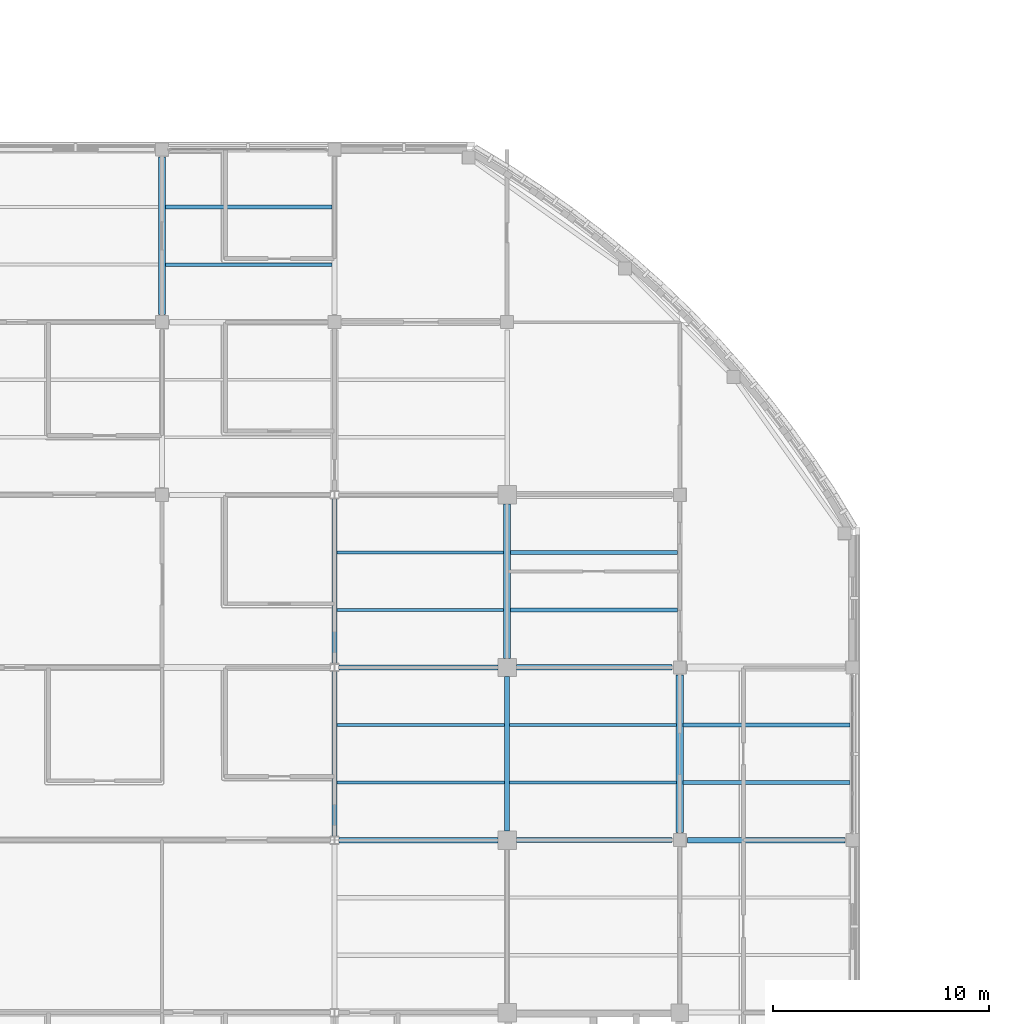
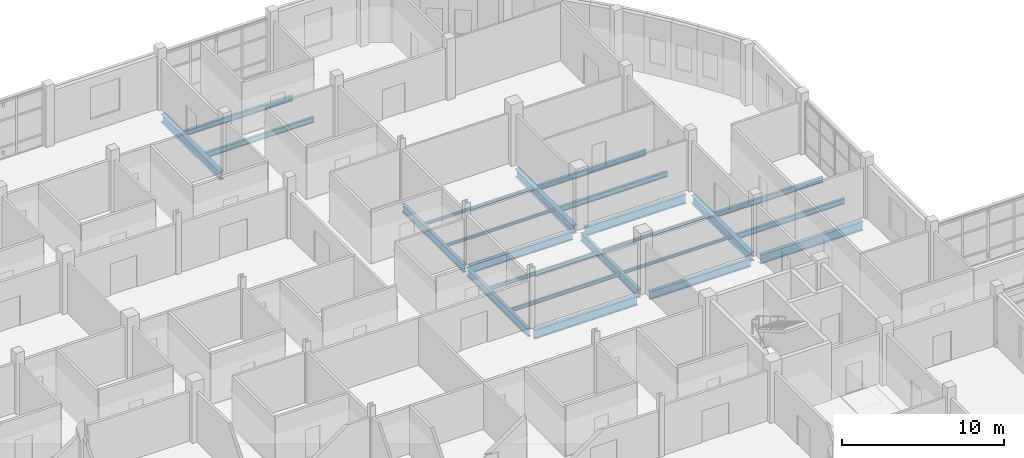
# One storey, part 38 of 121: 23 beams.
"""IFC4 building model written with IfcOpenShell, lengths in metres."""

from ifc_helpers import new_model, si_unit, derived_unit, direction, frame, origin, origin_2d, place, context, subcontext, project, spatial, i_section, extrude, material, material_profile, profile_set, type_object, element, save


model = new_model("IFC4")

# Units and contexts
model_context = context("Model", 3, precision=1e-05, world=origin(), true_north=direction((0.0, 1.0)))
body_context = subcontext(model_context, "Body", "Model", "MODEL_VIEW")
ifc_project = project(units=[si_unit("LENGTHUNIT", "METRE"), si_unit("AREAUNIT", "SQUARE_METRE"), si_unit("VOLUMEUNIT", "CUBIC_METRE"), si_unit("PLANEANGLEUNIT", "RADIAN"), si_unit("MASSUNIT", "GRAM", prefix="KILO"), derived_unit("THERMALTRANSMITTANCEUNIT", [(si_unit("MASSUNIT", "GRAM", prefix="KILO"), 1), (si_unit("TIMEUNIT", "SECOND"), -3), (si_unit("THERMODYNAMICTEMPERATUREUNIT", "KELVIN"), -1)])], contexts=[model_context])

# Site, building, storey
site_placement = place(None, origin())
site = spatial("IfcSite", under=ifc_project, at=site_placement, CompositionType="ELEMENT")
building_placement = place(site_placement, origin())
building = spatial("IfcBuilding", under=site, at=building_placement, Name="Veyamyaing Civic Hall", CompositionType="ELEMENT")
storey_placement = place(building_placement, frame((0.0, 0.0, 5.280029296875)))
storey = spatial("IfcBuildingStorey", under=building, at=storey_placement, Name="L01", CompositionType="ELEMENT", Elevation=5.280029296875)

# Beams
ifc_material = material(Name="Steel ASTM A992", Category="steel")
ifc_material_profile_1 = material_profile(ifc_material, i_section(OverallWidth=0.256103515625, OverallDepth=0.693115234375, WebThickness=0.014404296875, FlangeThickness=0.023681640625, FilletRadius=0.013916015625, at=origin_2d()), Name="W690X170")
ifc_profile_set_1 = profile_set([ifc_material_profile_1], Name="Steel ASTM A992")
beam_type_1 = type_object("IfcBeamType", Name="B-04", PredefinedType="BEAM", material=ifc_profile_set_1)
beam_1_placement = place(storey_placement, frame((96.198974609375, 64.0, -0.591552734375), z_axis=(1.0, 0.0, 0.0), x_axis=(0.0, 1.0, 0.0)))
element("IfcBeam", 1, at=beam_1_placement, inside=storey, type_object=beam_type_1, Name="Girder B-04 L01 Grid J 13-14", PredefinedType="BEAM", context=body_context, shape_type="SweptSolid", body=[
    extrude(i_section(OverallWidth=0.256103515625, OverallDepth=0.693115234375, WebThickness=0.014404296875, FlangeThickness=0.023681640625, FilletRadius=0.013916015625, at=origin_2d()), origin(), (0.0, 0.0, 1.0), 7.3759765625),
])
ifc_material_profile_2 = material_profile(ifc_material, i_section(OverallWidth=0.22998046875, OverallDepth=0.616943359375, WebThickness=0.01318359375, FlangeThickness=0.022216796875, FilletRadius=0.012939453125, at=origin_2d()), Name="W610X140")
ifc_profile_set_2 = profile_set([ifc_material_profile_2], Name="Steel ASTM A992")
beam_type_2 = type_object("IfcBeamType", Name="B-05", PredefinedType="BEAM", material=ifc_profile_set_2)
beam_2_placement = place(storey_placement, frame((104.425048828125, 64.0, -0.553466796875), z_axis=(1.0, 0.0, 0.0), x_axis=(0.0, 1.0, 0.0)))
element("IfcBeam", 2, at=beam_2_placement, inside=storey, type_object=beam_type_2, Name="Girder B-05 L01 Grid J 14-15", PredefinedType="BEAM", context=body_context, shape_type="SweptSolid", body=[
    extrude(i_section(OverallWidth=0.22998046875, OverallDepth=0.616943359375, WebThickness=0.01318359375, FlangeThickness=0.022216796875, FilletRadius=0.012939453125, at=origin_2d()), origin(), (0.0, 0.0, 1.0), 7.224853515625),
])
beam_3_placement = place(storey_placement, frame((96.198974609375, 72.0, -0.553466796875), z_axis=(1.0, 0.0, 0.0), x_axis=(0.0, 1.0, 0.0)))
element("IfcBeam", 3, at=beam_3_placement, inside=storey, type_object=beam_type_2, Name="Girder B-05 L01 Grid K 13-14", PredefinedType="BEAM", context=body_context, shape_type="SweptSolid", body=[
    extrude(i_section(OverallWidth=0.22998046875, OverallDepth=0.616943359375, WebThickness=0.01318359375, FlangeThickness=0.022216796875, FilletRadius=0.012939453125, at=origin_2d()), origin(), (0.0, 0.0, 1.0), 7.3759765625),
])
beam_4_placement = place(storey_placement, frame((96.0, 64.193603515625, -0.553466796875), z_axis=(0.0, 1.0, 0.0), x_axis=(-1.0, 0.0, 0.0)))
element("IfcBeam", 4, at=beam_4_placement, inside=storey, type_object=beam_type_2, Name="Girder B-05 L01 Grid 13 J-K", PredefinedType="BEAM", context=body_context, shape_type="SweptSolid", body=[
    extrude(i_section(OverallWidth=0.22998046875, OverallDepth=0.616943359375, WebThickness=0.01318359375, FlangeThickness=0.022216796875, FilletRadius=0.012939453125, at=origin_2d()), origin(), (0.0, 0.0, 1.0), 7.61279296875),
])
ifc_material_profile_3 = material_profile(ifc_material, i_section(OverallWidth=0.22802734375, OverallDepth=0.60791015625, WebThickness=0.01123046875, FlangeThickness=0.017333984375, FilletRadius=0.012939453125, at=origin_2d()), Name="W610X113")
ifc_profile_set_3 = profile_set([ifc_material_profile_3], Name="Steel ASTM A992")
beam_type_3 = type_object("IfcBeamType", Name="B-06", PredefinedType="BEAM", material=ifc_profile_set_3)
beam_5_placement = place(storey_placement, frame((96.0, 72.193603515625, -0.549072265625), z_axis=(0.0, 1.0, 0.0), x_axis=(-1.0, 0.0, 0.0)))
element("IfcBeam", 5, at=beam_5_placement, inside=storey, type_object=beam_type_3, Name="Girder B-06 L01 Grid 13 K-L", PredefinedType="BEAM", context=body_context, shape_type="SweptSolid", body=[
    extrude(i_section(OverallWidth=0.22802734375, OverallDepth=0.60791015625, WebThickness=0.01123046875, FlangeThickness=0.017333984375, FilletRadius=0.012939453125, at=origin_2d()), origin(), (0.0, 0.0, 1.0), 7.61279296875),
])
beam_6_placement = place(storey_placement, frame((104.0, 64.425048828125, -0.549072265625), z_axis=(0.0, 1.0, 0.0), x_axis=(-1.0, 0.0, 0.0)))
element("IfcBeam", 6, at=beam_6_placement, inside=storey, type_object=beam_type_3, Name="Girder B-06 L01 Grid 14 J-K", PredefinedType="BEAM", context=body_context, shape_type="SweptSolid", body=[
    extrude(i_section(OverallWidth=0.22802734375, OverallDepth=0.60791015625, WebThickness=0.01123046875, FlangeThickness=0.017333984375, FilletRadius=0.012939453125, at=origin_2d()), origin(), (0.0, 0.0, 1.0), 7.14990234375),
])
ifc_material_profile_4 = material_profile(ifc_material, i_section(OverallWidth=0.25390625, OverallDepth=0.68408203125, WebThickness=0.012451171875, FlangeThickness=0.01904296875, FilletRadius=0.013916015625, at=origin_2d()), Name="W690X140")
ifc_profile_set_4 = profile_set([ifc_material_profile_4], Name="Steel ASTM A992")
beam_type_4 = type_object("IfcBeamType", Name="B-14", PredefinedType="BEAM", material=ifc_profile_set_4)
beam_7_placement = place(storey_placement, frame((112.35009765625, 64.0, -0.5869140625), z_axis=(1.0, 0.0, 0.0), x_axis=(0.0, 1.0, 0.0)))
element("IfcBeam", 7, at=beam_7_placement, inside=storey, type_object=beam_type_4, Name="Girder B-14 L01 Grid J 15-16", PredefinedType="BEAM", context=body_context, shape_type="SweptSolid", body=[
    extrude(i_section(OverallWidth=0.25390625, OverallDepth=0.68408203125, WebThickness=0.012451171875, FlangeThickness=0.01904296875, FilletRadius=0.013916015625, at=origin_2d()), origin(), (0.0, 0.0, 1.0), 7.2998046875),
])
beam_8_placement = place(storey_placement, frame((104.425048828125, 72.0, -0.5869140625), z_axis=(1.0, 0.0, 0.0), x_axis=(0.0, 1.0, 0.0)))
element("IfcBeam", 8, at=beam_8_placement, inside=storey, type_object=beam_type_4, Name="Girder B-14 L01 Grid K 14-15", PredefinedType="BEAM", context=body_context, shape_type="SweptSolid", body=[
    extrude(i_section(OverallWidth=0.25390625, OverallDepth=0.68408203125, WebThickness=0.012451171875, FlangeThickness=0.01904296875, FilletRadius=0.013916015625, at=origin_2d()), origin(), (0.0, 0.0, 1.0), 7.224853515625),
])
ifc_material_profile_5 = material_profile(ifc_material, i_section(OverallWidth=0.324951171875, OverallDepth=0.615966796875, WebThickness=0.013916015625, FlangeThickness=0.021484375, FilletRadius=0.013916015625, at=origin_2d()), Name="W610X174")
ifc_profile_set_5 = profile_set([ifc_material_profile_5], Name="Steel ASTM A992")
beam_type_5 = type_object("IfcBeamType", Name="B-15", PredefinedType="BEAM", material=ifc_profile_set_5)
beam_9_placement = place(storey_placement, frame((88.0, 88.35009765625, -0.552978515625), z_axis=(0.0, 1.0, 0.0), x_axis=(-1.0, 0.0, 0.0)))
element("IfcBeam", 9, at=beam_9_placement, inside=storey, type_object=beam_type_5, Name="Girder B-15 L01 Grid 12 M-N", PredefinedType="BEAM", context=body_context, shape_type="SweptSolid", body=[
    extrude(i_section(OverallWidth=0.324951171875, OverallDepth=0.615966796875, WebThickness=0.013916015625, FlangeThickness=0.021484375, FilletRadius=0.013916015625, at=origin_2d()), origin(), (0.0, 0.0, 1.0), 7.2998046875),
])
beam_10_placement = place(storey_placement, frame((104.0, 72.425048828125, -0.552978515625), z_axis=(0.0, 1.0, 0.0), x_axis=(-1.0, 0.0, 0.0)))
element("IfcBeam", 10, at=beam_10_placement, inside=storey, type_object=beam_type_5, Name="Girder B-15 L01 Grid 14 K-L", PredefinedType="BEAM", context=body_context, shape_type="SweptSolid", body=[
    extrude(i_section(OverallWidth=0.324951171875, OverallDepth=0.615966796875, WebThickness=0.013916015625, FlangeThickness=0.021484375, FilletRadius=0.013916015625, at=origin_2d()), origin(), (0.0, 0.0, 1.0), 7.14990234375),
])
beam_11_placement = place(storey_placement, frame((112.0, 64.35009765625, -0.552978515625), z_axis=(0.0, 1.0, 0.0), x_axis=(-1.0, 0.0, 0.0)))
element("IfcBeam", 11, at=beam_11_placement, inside=storey, type_object=beam_type_5, Name="Girder B-15 L01 Grid 15 J-K", PredefinedType="BEAM", context=body_context, shape_type="SweptSolid", body=[
    extrude(i_section(OverallWidth=0.324951171875, OverallDepth=0.615966796875, WebThickness=0.013916015625, FlangeThickness=0.021484375, FilletRadius=0.013916015625, at=origin_2d()), origin(), (0.0, 0.0, 1.0), 7.2998046875),
])
ifc_material_profile_6 = material_profile(ifc_material, i_section(OverallWidth=0.177978515625, OverallDepth=0.406982421875, WebThickness=0.0078125, FlangeThickness=0.0126953125, FilletRadius=0.010009765625, at=origin_2d()), Name="W410X60")
ifc_profile_set_6 = profile_set([ifc_material_profile_6], Name="Steel ASTM A992")
beam_type_6 = type_object("IfcBeamType", Name="J-01", PredefinedType="JOIST", material=ifc_profile_set_6)
for number, where, z_axis, x_axis, name in (
    (12, (88.160400390625, 90.666748046875, -0.448486328125), (1.0, 0.0, 0.0), (0.0, 1.0, 0.0), "Composite floor joist J-01 L01 12.12.1"),
    (13, (88.160400390625, 93.333251953125, -0.448486328125), (1.0, 0.0, 0.0), (0.0, 1.0, 0.0), "Composite floor joist J-01 L01 12.12.2"),
    (14, (104.160400390625, 74.666748046875, -0.448486328125), (1.0, 0.0, 0.0), (0.0, 1.0, 0.0), "Composite floor joist J-01 L01 14.10.1"),
    (15, (104.160400390625, 77.333251953125, -0.448486328125), (1.0, 0.0, 0.0), (0.0, 1.0, 0.0), "Composite floor joist J-01 L01 14.10.2"),
):
    element("IfcBeam", number, at=place(storey_placement, frame(where, z_axis=z_axis, x_axis=x_axis)), inside=storey, type_object=beam_type_6, Name=name, PredefinedType="JOIST", context=body_context, shape_type="SweptSolid", body=[
        extrude(i_section(OverallWidth=0.177978515625, OverallDepth=0.406982421875, WebThickness=0.0078125, FlangeThickness=0.0126953125, FilletRadius=0.010009765625, at=origin_2d()), origin(), (0.0, 0.0, 1.0), 7.734619140625),
    ])
for number, where, z_axis, x_axis, name in (
    (16, (112.160400390625, 66.666748046875, -0.448486328125), (1.0, 0.0, 0.0), (0.0, 1.0, 0.0), "Composite floor joist J-01 L01 15.9.1"),
    (17, (112.160400390625, 69.333251953125, -0.448486328125), (1.0, 0.0, 0.0), (0.0, 1.0, 0.0), "Composite floor joist J-01 L01 15.9.2"),
):
    element("IfcBeam", number, at=place(storey_placement, frame(where, z_axis=z_axis, x_axis=x_axis)), inside=storey, type_object=beam_type_6, Name=name, PredefinedType="JOIST", context=body_context, shape_type="SweptSolid", body=[
        extrude(i_section(OverallWidth=0.177978515625, OverallDepth=0.406982421875, WebThickness=0.0078125, FlangeThickness=0.0126953125, FilletRadius=0.010009765625, at=origin_2d()), origin(), (0.0, 0.0, 1.0), 7.739501953125),
    ])
ifc_material_profile_7 = material_profile(ifc_material, i_section(OverallWidth=0.14794921875, OverallDepth=0.26611328125, WebThickness=0.007568359375, FlangeThickness=0.012939453125, FilletRadius=0.010009765625, at=origin_2d()), Name="W250X45")
ifc_profile_set_7 = profile_set([ifc_material_profile_7], Name="Steel ASTM A992")
beam_type_7 = type_object("IfcBeamType", Name="J-07", PredefinedType="JOIST", material=ifc_profile_set_7)
for number, where, z_axis, x_axis, name in (
    (18, (96.113037109375, 66.666748046875, -0.3779296875), (1.0, 0.0, 0.0), (0.0, 1.0, 0.0), "Composite floor joist J-07 L01 13.9.1"),
    (19, (96.113037109375, 69.333251953125, -0.3779296875), (1.0, 0.0, 0.0), (0.0, 1.0, 0.0), "Composite floor joist J-07 L01 13.9.2"),
):
    element("IfcBeam", number, at=place(storey_placement, frame(where, z_axis=z_axis, x_axis=x_axis)), inside=storey, type_object=beam_type_7, Name=name, PredefinedType="JOIST", context=body_context, shape_type="SweptSolid", body=[
        extrude(i_section(OverallWidth=0.14794921875, OverallDepth=0.26611328125, WebThickness=0.007568359375, FlangeThickness=0.012939453125, FilletRadius=0.010009765625, at=origin_2d()), origin(), (0.0, 0.0, 1.0), 7.77490234375),
    ])
ifc_material_profile_8 = material_profile(ifc_material, i_section(OverallWidth=0.133056640625, OverallDepth=0.20703125, WebThickness=0.005859375, FlangeThickness=0.00830078125, FilletRadius=0.010009765625, at=origin_2d()), Name="W200X27")
ifc_profile_set_8 = profile_set([ifc_material_profile_8], Name="Steel ASTM A992")
beam_type_8 = type_object("IfcBeamType", Name="J-08", PredefinedType="JOIST", material=ifc_profile_set_8)
for number, where, z_axis, x_axis, name in (
    (20, (96.112060546875, 74.666748046875, -0.3486328125), (1.0, 0.0, 0.0), (0.0, 1.0, 0.0), "Composite floor joist J-08 L01 13.10.1"),
    (21, (96.112060546875, 77.333251953125, -0.3486328125), (1.0, 0.0, 0.0), (0.0, 1.0, 0.0), "Composite floor joist J-08 L01 13.10.2"),
    (22, (104.112060546875, 66.666748046875, -0.3486328125), (1.0, 0.0, 0.0), (0.0, 1.0, 0.0), "Composite floor joist J-08 L01 14.9.1"),
    (23, (104.112060546875, 69.333251953125, -0.3486328125), (1.0, 0.0, 0.0), (0.0, 1.0, 0.0), "Composite floor joist J-08 L01 14.9.2"),
):
    element("IfcBeam", number, at=place(storey_placement, frame(where, z_axis=z_axis, x_axis=x_axis)), inside=storey, type_object=beam_type_8, Name=name, PredefinedType="JOIST", context=body_context, shape_type="SweptSolid", body=[
        extrude(i_section(OverallWidth=0.133056640625, OverallDepth=0.20703125, WebThickness=0.005859375, FlangeThickness=0.00830078125, FilletRadius=0.010009765625, at=origin_2d()), origin(), (0.0, 0.0, 1.0), 7.7275390625),
    ])

save(model, "model.ifc")
